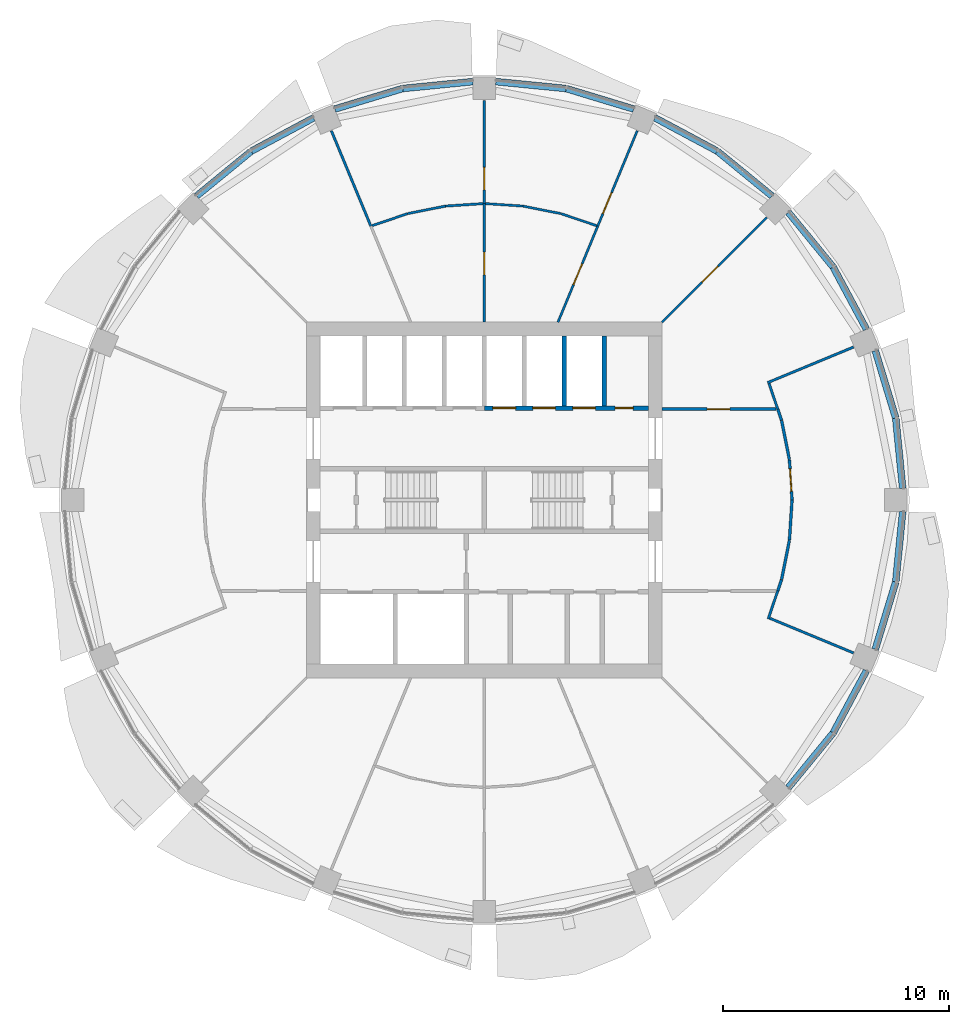
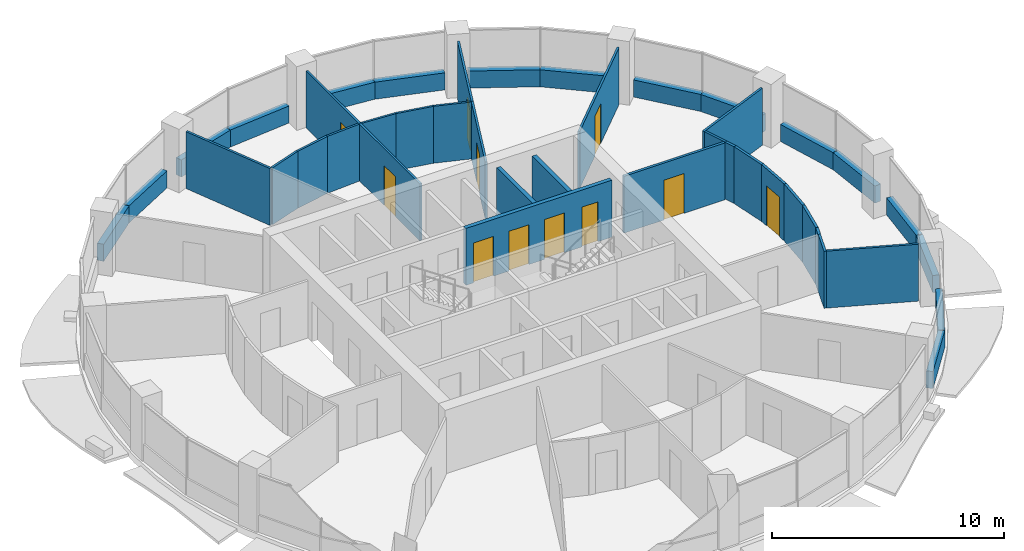
# One storey, part 10 of 15: 42 walls, 11 doors, 11 openings.
"""IFC4 building model written with IfcOpenShell, lengths in metres."""

from ifc_helpers import new_model, si_unit, direction, frame, frame_2d, origin, place, context, subcontext, project, spatial, rectangle, extrude, material, layer, layer_set, type_object, element, fill, save


model = new_model("IFC4")

# Units and contexts
model_context = context("Model", 3, precision=1e-05, world=origin(), true_north=direction((0.0, 1.0)))
body_context = subcontext(model_context, "Body", "Model", "MODEL_VIEW")
ifc_project = project(units=[si_unit("LENGTHUNIT", "METRE"), si_unit("AREAUNIT", "SQUARE_METRE"), si_unit("VOLUMEUNIT", "CUBIC_METRE"), si_unit("PLANEANGLEUNIT", "RADIAN"), si_unit("MASSUNIT", "GRAM", prefix="KILO")], contexts=[model_context])

# Site, building, storey
site_placement = place(None, origin())
site = spatial("IfcSite", under=ifc_project, at=site_placement, CompositionType="ELEMENT")
building_placement = place(site_placement, origin())
building = spatial("IfcBuilding", under=site, at=building_placement, Name="Polderwave Tower", CompositionType="ELEMENT")
storey_placement = place(building_placement, frame((0.0, 0.0, 151.10009765625)))
storey = spatial("IfcBuildingStorey", under=building, at=storey_placement, Name="L40", CompositionType="ELEMENT", Elevation=151.10009765625)

# Walls
ifc_material_1 = material(Name="Concrete C50/60 (board-marked)", Category="concrete")
ifc_layer_1 = layer(ifc_material_1, 0.300048828125)
ifc_layer_set_1 = layer_set([ifc_layer_1], Name="Concrete spandrel upstand C50/60")
wall_type_1 = type_object("IfcWallType", Name="Concrete spandrel upstand C50/60", PredefinedType="SOLIDWALL", material=ifc_layer_set_1)
wall_1_placement = place(storey_placement, frame((18.529541015625, 0.513916015625, 0.0), z_axis=(0.0, 0.0, 1.0), x_axis=(-0.098011857239, 0.995185246997, 0.0)))
element("IfcWall", 1, at=wall_1_placement, inside=storey, type_object=wall_type_1, Name="Spandrel L40 1a", PredefinedType="SOLIDWALL", context=body_context, shape_type="SweptSolid", body=[
    extrude(rectangle(XDim=3.111083984375, YDim=0.300048828125, at=frame_2d((1.5556640625, 0.0))), origin(), (0.0, 0.0, 1.0), 0.89990234375),
])
wall_2_placement = place(storey_placement, frame((18.218505859375, 3.639404296875, 0.0), z_axis=(0.0, 0.0, 1.0), x_axis=(-0.29026219948, 0.956947154002, 0.0)))
element("IfcWall", 2, at=wall_2_placement, inside=storey, type_object=wall_type_1, Name="Spandrel L40 1b", PredefinedType="SOLIDWALL", context=body_context, shape_type="SweptSolid", body=[
    extrude(rectangle(XDim=3.111328125, YDim=0.300048828125, at=frame_2d((1.5556640625, 0.0))), origin(), (0.0, 0.0, 1.0), 0.89990234375),
])
wall_3_placement = place(storey_placement, frame((16.921875, 7.565185546875, 0.0), z_axis=(0.0, 0.0, 1.0), x_axis=(-0.471467771589, 0.881883291798, 0.0)))
element("IfcWall", 3, at=wall_3_placement, inside=storey, type_object=wall_type_1, Name="Spandrel L40 2a", PredefinedType="SOLIDWALL", context=body_context, shape_type="SweptSolid", body=[
    extrude(rectangle(XDim=3.111083984375, YDim=0.300048828125, at=frame_2d((1.5556640625, 0.0))), origin(), (0.0, 0.0, 1.0), 0.89990234375),
])
for number, where, z_axis, x_axis, name in (
    (4, (15.4384765625, 10.33349609375, 0.0), (0.0, 0.0, 1.0), (-0.634074896441, 0.773271637721, 0.0), "Spandrel L40 2b"),
    (5, (12.739501953125, 13.465576171875, 0.0), (0.0, 0.0, 1.0), (-0.773271637721, 0.634074896441, 0.0), "Spandrel L40 3a"),
):
    element("IfcWall", number, at=place(storey_placement, frame(where, z_axis=z_axis, x_axis=x_axis)), inside=storey, type_object=wall_type_1, Name=name, PredefinedType="SOLIDWALL", context=body_context, shape_type="SweptSolid", body=[
        extrude(rectangle(XDim=3.111572265625, YDim=0.300048828125, at=frame_2d((1.5556640625, 0.0))), origin(), (0.0, 0.0, 1.0), 0.89990234375),
    ])
wall_4_placement = place(storey_placement, frame((10.308837890625, 15.455078125, 0.0), z_axis=(0.0, 0.0, 1.0), x_axis=(-0.881883291798, 0.471467771589, 0.0)))
element("IfcWall", 6, at=wall_4_placement, inside=storey, type_object=wall_type_1, Name="Spandrel L40 3b", PredefinedType="SOLIDWALL", context=body_context, shape_type="SweptSolid", body=[
    extrude(rectangle(XDim=3.111083984375, YDim=0.300048828125, at=frame_2d((1.5556640625, 0.0))), origin(), (0.0, 0.0, 1.0), 0.89990234375),
])
wall_5_placement = place(storey_placement, frame((6.61669921875, 17.3154296875, 0.0), z_axis=(0.0, 0.0, 1.0), x_axis=(-0.956947154002, 0.29026219948, 0.0)))
element("IfcWall", 7, at=wall_5_placement, inside=storey, type_object=wall_type_1, Name="Spandrel L40 4a", PredefinedType="SOLIDWALL", context=body_context, shape_type="SweptSolid", body=[
    extrude(rectangle(XDim=3.111328125, YDim=0.300048828125, at=frame_2d((1.5556640625, 0.0))), origin(), (0.0, 0.0, 1.0), 0.89990234375),
])
for number, where, z_axis, x_axis, name in (
    (8, (3.610107421875, 18.224609375, 0.0), (0.0, 0.0, 1.0), (-0.995185246997, 0.098011857239, 0.0), "Spandrel L40 4b"),
    (9, (-0.513916015625, 18.529541015625, 0.0), (0.0, 0.0, 1.0), (-0.995185246997, -0.098011857239, 0.0), "Spandrel L40 5a"),
):
    element("IfcWall", number, at=place(storey_placement, frame(where, z_axis=z_axis, x_axis=x_axis)), inside=storey, type_object=wall_type_1, Name=name, PredefinedType="SOLIDWALL", context=body_context, shape_type="SweptSolid", body=[
        extrude(rectangle(XDim=3.111083984375, YDim=0.300048828125, at=frame_2d((1.5556640625, 0.0))), origin(), (0.0, 0.0, 1.0), 0.89990234375),
    ])
wall_6_placement = place(storey_placement, frame((-3.639404296875, 18.218505859375, 0.0), z_axis=(0.0, 0.0, 1.0), x_axis=(-0.956947154002, -0.29026219948, 0.0)))
element("IfcWall", 10, at=wall_6_placement, inside=storey, type_object=wall_type_1, Name="Spandrel L40 5b", PredefinedType="SOLIDWALL", context=body_context, shape_type="SweptSolid", body=[
    extrude(rectangle(XDim=3.111328125, YDim=0.300048828125, at=frame_2d((1.5556640625, 0.0))), origin(), (0.0, 0.0, 1.0), 0.89990234375),
])
wall_7_placement = place(storey_placement, frame((-7.565185546875, 16.921875, 0.0), z_axis=(0.0, 0.0, 1.0), x_axis=(-0.881883291798, -0.471467771589, 0.0)))
element("IfcWall", 11, at=wall_7_placement, inside=storey, type_object=wall_type_1, Name="Spandrel L40 6a", PredefinedType="SOLIDWALL", context=body_context, shape_type="SweptSolid", body=[
    extrude(rectangle(XDim=3.111083984375, YDim=0.300048828125, at=frame_2d((1.5556640625, 0.0))), origin(), (0.0, 0.0, 1.0), 0.89990234375),
])
for number, where, z_axis, x_axis, name in (
    (12, (-10.33349609375, 15.4384765625, 0.0), (0.0, 0.0, 1.0), (-0.773271637721, -0.634074896441, 0.0), "Spandrel L40 6b"),
    (13, (13.465576171875, -12.739501953125, 0.0), (0.0, 0.0, 1.0), (0.634074896441, 0.773271637721, 0.0), "Spandrel L40 15a"),
):
    element("IfcWall", number, at=place(storey_placement, frame(where, z_axis=z_axis, x_axis=x_axis)), inside=storey, type_object=wall_type_1, Name=name, PredefinedType="SOLIDWALL", context=body_context, shape_type="SweptSolid", body=[
        extrude(rectangle(XDim=3.111572265625, YDim=0.300048828125, at=frame_2d((1.5556640625, 0.0))), origin(), (0.0, 0.0, 1.0), 0.89990234375),
    ])
wall_8_placement = place(storey_placement, frame((15.455078125, -10.308837890625, 0.0), z_axis=(0.0, 0.0, 1.0), x_axis=(0.471467771589, 0.881883291798, 0.0)))
element("IfcWall", 14, at=wall_8_placement, inside=storey, type_object=wall_type_1, Name="Spandrel L40 15b", PredefinedType="SOLIDWALL", context=body_context, shape_type="SweptSolid", body=[
    extrude(rectangle(XDim=3.111083984375, YDim=0.300048828125, at=frame_2d((1.5556640625, 0.0))), origin(), (0.0, 0.0, 1.0), 0.89990234375),
])
wall_9_placement = place(storey_placement, frame((17.3154296875, -6.61669921875, 0.0), z_axis=(0.0, 0.0, 1.0), x_axis=(0.29026219948, 0.956947154002, 0.0)))
element("IfcWall", 15, at=wall_9_placement, inside=storey, type_object=wall_type_1, Name="Spandrel L40 16a", PredefinedType="SOLIDWALL", context=body_context, shape_type="SweptSolid", body=[
    extrude(rectangle(XDim=3.111328125, YDim=0.300048828125, at=frame_2d((1.5556640625, 0.0))), origin(), (0.0, 0.0, 1.0), 0.89990234375),
])
wall_10_placement = place(storey_placement, frame((18.224609375, -3.610107421875, 0.0), z_axis=(0.0, 0.0, 1.0), x_axis=(0.098011857239, 0.995185246997, 0.0)))
element("IfcWall", 16, at=wall_10_placement, inside=storey, type_object=wall_type_1, Name="Spandrel L40 16b", PredefinedType="SOLIDWALL", context=body_context, shape_type="SweptSolid", body=[
    extrude(rectangle(XDim=3.111083984375, YDim=0.300048828125, at=frame_2d((1.5556640625, 0.0))), origin(), (0.0, 0.0, 1.0), 0.89990234375),
])

# Wall, openings, doors
ifc_material_2 = material(Name="Concrete C50/60", Category="concrete")
ifc_layer_2 = layer(ifc_material_2, 0.199951171875)
ifc_layer_set_2 = layer_set([ifc_layer_2], Name="Core web wall 200")
wall_type_2 = type_object("IfcWallType", Name="Core web wall 200", PredefinedType="SHEAR", material=ifc_layer_set_2)
wall_11_placement = place(storey_placement, frame((0.0, 4.073974609375, 0.0), z_axis=(0.0, 0.0, 1.0), x_axis=(1.0, 0.0, 0.0)))
wall_11 = element("IfcWall", 17, at=wall_11_placement, inside=storey, type_object=wall_type_2, Name="L40 north front wall 2", PredefinedType="SHEAR", context=body_context, shape_type="SweptSolid", body=[
    extrude(rectangle(XDim=7.27392578125, YDim=0.199951171875, at=frame_2d((3.636962890625, 0.0))), origin(), (0.0, 0.0, 1.0), 3.0),
])
opening_1_placement = place(wall_11_placement, frame((0.38427734375, 0.0, 0.0)))
opening_1 = element("IfcOpeningElement", 18, at=opening_1_placement, cuts=wall_11, Name="Opening L40-D07", PredefinedType="OPENING", context=body_context, shape_type="SweptSolid", body=[
    extrude(rectangle(XDim=1.0, YDim=2.10009765625, at=frame_2d((0.5, 1.050048828125))), frame((0.0, 0.10986328125, 0.0), z_axis=(0.0, -1.0, 0.0), x_axis=(1.0, 0.0, 0.0)), (0.0, 0.0, 1.0), 0.219970703125),
])
opening_2_placement = place(wall_11_placement, frame((2.15283203125, 0.0, 0.0)))
opening_2 = element("IfcOpeningElement", 19, at=opening_2_placement, cuts=wall_11, Name="Opening L40-D08", PredefinedType="OPENING", context=body_context, shape_type="SweptSolid", body=[
    extrude(rectangle(XDim=1.0, YDim=2.10009765625, at=frame_2d((0.5, 1.050048828125))), frame((0.0, 0.10986328125, 0.0), z_axis=(0.0, -1.0, 0.0), x_axis=(1.0, 0.0, 0.0)), (0.0, 0.0, 1.0), 0.219970703125),
])
opening_3_placement = place(wall_11_placement, frame((3.921142578125, 0.0, 0.0)))
opening_3 = element("IfcOpeningElement", 20, at=opening_3_placement, cuts=wall_11, Name="Opening L40-D09", PredefinedType="OPENING", context=body_context, shape_type="SweptSolid", body=[
    extrude(rectangle(XDim=1.0, YDim=2.10009765625, at=frame_2d((0.5, 1.050048828125))), frame((0.0, 0.10986328125, 0.0), z_axis=(0.0, -1.0, 0.0), x_axis=(1.0, 0.0, 0.0)), (0.0, 0.0, 1.0), 0.219970703125),
])
opening_4_placement = place(wall_11_placement, frame((5.789794921875, 0.0, 0.0)))
opening_4 = element("IfcOpeningElement", 21, at=opening_4_placement, cuts=wall_11, Name="Opening L40-D19", PredefinedType="OPENING", context=body_context, shape_type="SweptSolid", body=[
    extrude(rectangle(XDim=0.800048828125, YDim=2.10009765625, at=frame_2d((0.39990234375, 1.050048828125))), frame((0.0, 0.10986328125, 0.0), z_axis=(0.0, -1.0, 0.0), x_axis=(1.0, 0.0, 0.0)), (0.0, 0.0, 1.0), 0.219970703125),
])
ifc_material_3 = material(Name="Stainless steel", Category="steel")
door_type_1 = type_object("IfcDoorType", Name="Lift landing door 1000", OperationType="DOUBLE_DOOR_SLIDING", PredefinedType="DOOR", material=ifc_material_3)
door_1_placement = place(opening_1_placement, frame((1.0, 0.0, 0.0), z_axis=(0.0, 0.0, 1.0), x_axis=(-1.0, 0.0, 0.0)))
door_1 = element("IfcDoor", 22, at=door_1_placement, inside=storey, type_object=door_type_1, Name="Lift HL5 landing door", OperationType="DOUBLE_DOOR_SLIDING", OverallHeight=2.10009765625, OverallWidth=1.0, PredefinedType="DOOR", context=body_context, shape_type="SweptSolid", body=[
    extrude(rectangle(XDim=1.0, YDim=2.10009765625, at=frame_2d((0.5, 1.050048828125))), frame((0.0, 0.02490234375, 0.0), z_axis=(0.0, -1.0, 0.0), x_axis=(1.0, 0.0, 0.0)), (0.0, 0.0, 1.0), 0.050048828125),
])
fill(opening_1, door_1)
door_2_placement = place(opening_2_placement, frame((1.0, 0.0, 0.0), z_axis=(0.0, 0.0, 1.0), x_axis=(-1.0, 0.0, 0.0)))
door_2 = element("IfcDoor", 23, at=door_2_placement, inside=storey, type_object=door_type_1, Name="Lift HL6 landing door", OperationType="DOUBLE_DOOR_SLIDING", OverallHeight=2.10009765625, OverallWidth=1.0, PredefinedType="DOOR", context=body_context, shape_type="SweptSolid", body=[
    extrude(rectangle(XDim=1.0, YDim=2.10009765625, at=frame_2d((0.5, 1.050048828125))), frame((0.0, 0.02490234375, 0.0), z_axis=(0.0, -1.0, 0.0), x_axis=(1.0, 0.0, 0.0)), (0.0, 0.0, 1.0), 0.050048828125),
])
fill(opening_2, door_2)
door_3_placement = place(opening_3_placement, frame((1.0, 0.0, 0.0), z_axis=(0.0, 0.0, 1.0), x_axis=(-1.0, 0.0, 0.0)))
door_3 = element("IfcDoor", 24, at=door_3_placement, inside=storey, type_object=door_type_1, Name="Lift HL7 landing door", OperationType="DOUBLE_DOOR_SLIDING", OverallHeight=2.10009765625, OverallWidth=1.0, PredefinedType="DOOR", context=body_context, shape_type="SweptSolid", body=[
    extrude(rectangle(XDim=1.0, YDim=2.10009765625, at=frame_2d((0.5, 1.050048828125))), frame((0.0, 0.02490234375, 0.0), z_axis=(0.0, -1.0, 0.0), x_axis=(1.0, 0.0, 0.0)), (0.0, 0.0, 1.0), 0.050048828125),
])
fill(opening_3, door_3)
ifc_material_4 = material(Name="Steel fire door", Category="steel")
door_type_2 = type_object("IfcDoorType", Name="Riser door 800", OperationType="NOTDEFINED", PredefinedType="DOOR", material=ifc_material_4)
door_4_placement = place(opening_4_placement, frame((0.800048828125, 0.0, 0.0), z_axis=(0.0, 0.0, 1.0), x_axis=(-1.0, 0.0, 0.0)))
door_4 = element("IfcDoor", 25, at=door_4_placement, inside=storey, type_object=door_type_2, Name="Riser door", OperationType="SINGLE_SWING_LEFT", OverallHeight=2.10009765625, OverallWidth=0.800048828125, PredefinedType="DOOR", context=body_context, shape_type="SweptSolid", body=[
    extrude(rectangle(XDim=0.800048828125, YDim=2.10009765625, at=frame_2d((0.39990234375, 1.050048828125))), frame((0.0, 0.02490234375, 0.0), z_axis=(0.0, -1.0, 0.0), x_axis=(1.0, 0.0, 0.0)), (0.0, 0.0, 1.0), 0.050048828125),
])
fill(opening_4, door_4)

# Walls
ifc_material_5 = material(Name="Fire-resisting board on steel studs", Category="steel")
ifc_layer_3 = layer(ifc_material_5, 0.125)
ifc_layer_set_3 = layer_set([ifc_layer_3], Name="Corridor wall 125 mm EI 60")
wall_type_3 = type_object("IfcWallType", Name="Corridor wall 125 mm EI 60", PredefinedType="PARTITIONING", material=ifc_layer_set_3)
for number, where, z_axis, x_axis, name in (
    (26, (12.996826171875, 4.0244140625, 0.0), (0.0, 0.0, 1.0), (0.321709356611, -0.946838470843, 0.0), "IN-L40-W001"),
    (27, (13.164306640625, -3.531494140625, 0.0), (0.0, 0.0, 1.0), (-0.321709356611, -0.946838470843, 0.0), "IN-L40-W002"),
):
    element("IfcWall", number, at=place(storey_placement, frame(where, z_axis=z_axis, x_axis=x_axis)), inside=storey, type_object=wall_type_3, Name=name, PredefinedType="PARTITIONING", context=body_context, shape_type="SweptSolid", body=[
        extrude(rectangle(XDim=0.5205078125, YDim=0.125, at=frame_2d((0.26025390625, 0.0))), origin(), (0.0, 0.0, 1.0), 3.0),
    ])
for number, where, z_axis, x_axis, name in (
    (28, (13.16650390625, 3.523681640625, 0.0), (0.0, 0.0, 1.0), (0.195084198994, -0.980786498328, 0.0), "IN-L40-W003"),
    (29, (13.5126953125, -1.783203125, 0.0), (0.0, 0.0, 1.0), (-0.195084198994, -0.980786498328, 0.0), "IN-L40-W004"),
):
    element("IfcWall", number, at=place(storey_placement, frame(where, z_axis=z_axis, x_axis=x_axis)), inside=storey, type_object=wall_type_3, Name=name, PredefinedType="PARTITIONING", context=body_context, shape_type="SweptSolid", body=[
        extrude(rectangle(XDim=1.774658203125, YDim=0.125, at=frame_2d((0.88720703125, 0.0))), origin(), (0.0, 0.0, 1.0), 3.0),
    ])

# Wall, opening, door
wall_12_placement = place(storey_placement, frame((13.513671875, 1.77490234375, 0.0), z_axis=(0.0, 0.0, 1.0), x_axis=(0.065350149908, -0.997862394274, 0.0)))
wall_12 = element("IfcWall", 30, at=wall_12_placement, inside=storey, type_object=wall_type_3, Name="IN-L40-W005", PredefinedType="PARTITIONING", context=body_context, shape_type="SweptSolid", body=[
    extrude(rectangle(XDim=1.774658203125, YDim=0.125, at=frame_2d((0.88720703125, 0.0))), origin(), (0.0, 0.0, 1.0), 3.0),
])
opening_5_placement = place(wall_12_placement, frame((0.39990234375, 0.0, 0.0)))
opening_5 = element("IfcOpeningElement", 31, at=opening_5_placement, cuts=wall_12, Name="Opening L40-D50", PredefinedType="OPENING", context=body_context, shape_type="SweptSolid", body=[
    extrude(rectangle(XDim=1.0, YDim=2.10009765625, at=frame_2d((0.5, 1.050048828125))), frame((0.0, 0.072509765625, 0.0), z_axis=(0.0, -1.0, 0.0), x_axis=(1.0, 0.0, 0.0)), (0.0, 0.0, 1.0), 0.14501953125),
])
ifc_material_6 = material(Name="Timber fire door leaf", Category="wood")
door_type_3 = type_object("IfcDoorType", Name="Fire door FD30S 1000 x 2100", OperationType="NOTDEFINED", PredefinedType="DOOR", material=ifc_material_6)
door_5_placement = place(opening_5_placement, origin())
door_5 = element("IfcDoor", 32, at=door_5_placement, inside=storey, type_object=door_type_3, Name="Door L40-D50", OperationType="SINGLE_SWING_RIGHT", OverallHeight=2.10009765625, OverallWidth=1.0, PredefinedType="DOOR", context=body_context, shape_type="SweptSolid", body=[
    extrude(rectangle(XDim=1.0, YDim=2.10009765625, at=frame_2d((0.5, 1.050048828125))), frame((0.0, 0.02490234375, 0.0), z_axis=(0.0, -1.0, 0.0), x_axis=(1.0, 0.0, 0.0)), (0.0, 0.0, 1.0), 0.050048828125),
])
fill(opening_5, door_5)

# Wall
wall_13_placement = place(storey_placement, frame((13.629638671875, -0.004150390625, 0.0), z_axis=(0.0, 0.0, 1.0), x_axis=(-0.065350149908, -0.997862394274, 0.0)))
element("IfcWall", 33, at=wall_13_placement, inside=storey, type_object=wall_type_3, Name="IN-L40-W006", PredefinedType="PARTITIONING", context=body_context, shape_type="SweptSolid", body=[
    extrude(rectangle(XDim=1.774658203125, YDim=0.125, at=frame_2d((0.88720703125, 0.0))), origin(), (0.0, 0.0, 1.0), 3.0),
])

# Wall, opening, door
wall_14_placement = place(storey_placement, frame((7.8740234375, 4.0244140625, 0.0), z_axis=(0.0, 0.0, 1.0), x_axis=(1.0, 0.0, 0.0)))
wall_14 = element("IfcWall", 34, at=wall_14_placement, inside=storey, type_object=wall_type_3, Name="IN-L40-W007", PredefinedType="PARTITIONING", context=body_context, shape_type="SweptSolid", body=[
    extrude(rectangle(XDim=5.03564453125, YDim=0.125, at=frame_2d((2.517822265625, 0.0))), origin(), (0.0, 0.0, 1.0), 3.0),
])
opening_6_placement = place(wall_14_placement, frame((2.0, 0.0, 0.0)))
opening_6 = element("IfcOpeningElement", 35, at=opening_6_placement, cuts=wall_14, Name="Opening L40-D51", PredefinedType="OPENING", context=body_context, shape_type="SweptSolid", body=[
    extrude(rectangle(XDim=1.0, YDim=2.10009765625, at=frame_2d((0.5, 1.050048828125))), frame((0.0, 0.072509765625, 0.0), z_axis=(0.0, -1.0, 0.0), x_axis=(1.0, 0.0, 0.0)), (0.0, 0.0, 1.0), 0.14501953125),
])
door_6_placement = place(opening_6_placement, origin())
door_6 = element("IfcDoor", 36, at=door_6_placement, inside=storey, type_object=door_type_3, Name="Door L40-D51", OperationType="SINGLE_SWING_LEFT", OverallHeight=2.10009765625, OverallWidth=1.0, PredefinedType="DOOR", context=body_context, shape_type="SweptSolid", body=[
    extrude(rectangle(XDim=1.0, YDim=2.10009765625, at=frame_2d((0.5, 1.050048828125))), frame((0.0, 0.02490234375, 0.0), z_axis=(0.0, -1.0, 0.0), x_axis=(1.0, 0.0, 0.0)), (0.0, 0.0, 1.0), 0.050048828125),
])
fill(opening_6, door_6)

ifc_material_7 = material(Name="Plasterboard on steel studs", Category="steel")
ifc_layer_4 = layer(ifc_material_7, 0.10009765625)
ifc_layer_set_4 = layer_set([ifc_layer_4], Name="Partition 100 mm plasterboard on steel studs")
wall_type_4 = type_object("IfcWallType", Name="Partition 100 mm plasterboard on steel studs", PredefinedType="PARTITIONING", material=ifc_layer_set_4)
wall_15_placement = place(storey_placement, frame((7.8740234375, 7.8740234375, 0.0), z_axis=(0.0, 0.0, 1.0), x_axis=(0.707106781187, 0.707106781187, 0.0)))
wall_15 = element("IfcWall", 37, at=wall_15_placement, inside=storey, type_object=wall_type_4, Name="IN-L40-W021", PredefinedType="PARTITIONING", context=body_context, shape_type="SweptSolid", body=[
    extrude(rectangle(XDim=6.564453125, YDim=0.10009765625, at=frame_2d((3.2822265625, 0.0))), origin(), (0.0, 0.0, 1.0), 3.0),
])
opening_7_placement = place(wall_15_placement, frame((2.5, 0.0, 0.0)))
opening_7 = element("IfcOpeningElement", 38, at=opening_7_placement, cuts=wall_15, Name="Opening L40-D56", PredefinedType="OPENING", context=body_context, shape_type="SweptSolid", body=[
    extrude(rectangle(XDim=1.0, YDim=2.10009765625, at=frame_2d((0.5, 1.050048828125))), frame((0.0, 0.06005859375, 0.0), z_axis=(0.0, -1.0, 0.0), x_axis=(1.0, 0.0, 0.0)), (0.0, 0.0, 1.0), 0.1201171875),
])
ifc_material_8 = material(Name="Timber veneer door leaf", Category="wood")
door_type_4 = type_object("IfcDoorType", Name="Single door 1000 x 2100", OperationType="NOTDEFINED", PredefinedType="DOOR", material=ifc_material_8)
door_7_placement = place(opening_7_placement, origin())
door_7 = element("IfcDoor", 39, at=door_7_placement, inside=storey, type_object=door_type_4, Name="Door L40-D56", OperationType="SINGLE_SWING_LEFT", OverallHeight=2.10009765625, OverallWidth=1.0, PredefinedType="DOOR", context=body_context, shape_type="SweptSolid", body=[
    extrude(rectangle(XDim=1.0, YDim=2.10009765625, at=frame_2d((0.5, 1.050048828125))), frame((0.0, 0.02490234375, 0.0), z_axis=(0.0, -1.0, 0.0), x_axis=(1.0, 0.0, 0.0)), (0.0, 0.0, 1.0), 0.050048828125),
])
fill(opening_7, door_7)

wall_16_placement = place(storey_placement, frame((3.261474609375, 7.8740234375, 0.0), z_axis=(0.0, 0.0, 1.0), x_axis=(0.382691869474, 0.923876037701, 0.0)))
wall_16 = element("IfcWall", 40, at=wall_16_placement, inside=storey, type_object=wall_type_4, Name="IN-L40-W022", PredefinedType="PARTITIONING", context=body_context, shape_type="SweptSolid", body=[
    extrude(rectangle(XDim=4.607421875, YDim=0.10009765625, at=frame_2d((2.3037109375, 0.0))), origin(), (0.0, 0.0, 1.0), 3.0),
])
opening_8_placement = place(wall_16_placement, frame((1.800048828125, 0.0, 0.0)))
opening_8 = element("IfcOpeningElement", 41, at=opening_8_placement, cuts=wall_16, Name="Opening L40-D57", PredefinedType="OPENING", context=body_context, shape_type="SweptSolid", body=[
    extrude(rectangle(XDim=1.0, YDim=2.10009765625, at=frame_2d((0.5, 1.050048828125))), frame((0.0, 0.06005859375, 0.0), z_axis=(0.0, -1.0, 0.0), x_axis=(1.0, 0.0, 0.0)), (0.0, 0.0, 1.0), 0.1201171875),
])
door_8_placement = place(opening_8_placement, origin())
door_8 = element("IfcDoor", 42, at=door_8_placement, inside=storey, type_object=door_type_4, Name="Door L40-D57", OperationType="SINGLE_SWING_LEFT", OverallHeight=2.10009765625, OverallWidth=1.0, PredefinedType="DOOR", context=body_context, shape_type="SweptSolid", body=[
    extrude(rectangle(XDim=1.0, YDim=2.10009765625, at=frame_2d((0.5, 1.050048828125))), frame((0.0, 0.02490234375, 0.0), z_axis=(0.0, -1.0, 0.0), x_axis=(1.0, 0.0, 0.0)), (0.0, 0.0, 1.0), 0.050048828125),
])
fill(opening_8, door_8)

wall_17_placement = place(storey_placement, frame((5.024658203125, 12.130615234375, 0.0), z_axis=(0.0, 0.0, 1.0), x_axis=(0.382664766489, 0.923887263949, 0.0)))
wall_17 = element("IfcWall", 43, at=wall_17_placement, inside=storey, type_object=wall_type_4, Name="IN-L40-W023", PredefinedType="PARTITIONING", context=body_context, shape_type="SweptSolid", body=[
    extrude(rectangle(XDim=4.570068359375, YDim=0.10009765625, at=frame_2d((2.28515625, 0.0))), origin(), (0.0, 0.0, 1.0), 3.0),
])
opening_9_placement = place(wall_17_placement, frame((0.60009765625, 0.0, 0.0)))
opening_9 = element("IfcOpeningElement", 44, at=opening_9_placement, cuts=wall_17, Name="Opening L40-D58", PredefinedType="OPENING", context=body_context, shape_type="SweptSolid", body=[
    extrude(rectangle(XDim=1.0, YDim=2.10009765625, at=frame_2d((0.5, 1.050048828125))), frame((0.0, 0.06005859375, 0.0), z_axis=(0.0, -1.0, 0.0), x_axis=(1.0, 0.0, 0.0)), (0.0, 0.0, 1.0), 0.1201171875),
])
door_9_placement = place(opening_9_placement, origin())
door_9 = element("IfcDoor", 45, at=door_9_placement, inside=storey, type_object=door_type_4, Name="Door L40-D58", OperationType="SINGLE_SWING_LEFT", OverallHeight=2.10009765625, OverallWidth=1.0, PredefinedType="DOOR", context=body_context, shape_type="SweptSolid", body=[
    extrude(rectangle(XDim=1.0, YDim=2.10009765625, at=frame_2d((0.5, 1.050048828125))), frame((0.0, 0.02490234375, 0.0), z_axis=(0.0, -1.0, 0.0), x_axis=(1.0, 0.0, 0.0)), (0.0, 0.0, 1.0), 0.050048828125),
])
fill(opening_9, door_9)

# Walls
wall_18_placement = place(storey_placement, frame((0.055908203125, 13.126220703125, 0.0), z_axis=(0.0, 0.0, 1.0), x_axis=(0.997860729897, -0.065375559108, 0.0)))
element("IfcWall", 46, at=wall_18_placement, inside=storey, type_object=wall_type_4, Name="IN-L40-W024", PredefinedType="PARTITIONING", context=body_context, shape_type="SweptSolid", body=[
    extrude(rectangle(XDim=1.658203125, YDim=0.10009765625, at=frame_2d((0.8291015625, 0.0))), origin(), (0.0, 0.0, 1.0), 3.0),
])
wall_19_placement = place(storey_placement, frame((1.717041015625, 13.01708984375, 0.0), z_axis=(0.0, 0.0, 1.0), x_axis=(0.980761373858, -0.195210469873, 0.0)))
element("IfcWall", 47, at=wall_19_placement, inside=storey, type_object=wall_type_4, Name="IN-L40-W025", PredefinedType="PARTITIONING", context=body_context, shape_type="SweptSolid", body=[
    extrude(rectangle(XDim=1.7109375, YDim=0.10009765625, at=frame_2d((0.85546875, 0.0))), origin(), (0.0, 0.0, 1.0), 3.0),
])
wall_20_placement = place(storey_placement, frame((3.4013671875, 12.681396484375, 0.0), z_axis=(0.0, 0.0, 1.0), x_axis=(0.946964323191, -0.321338716314, 0.0)))
element("IfcWall", 48, at=wall_20_placement, inside=storey, type_object=wall_type_4, Name="IN-L40-W026", PredefinedType="PARTITIONING", context=body_context, shape_type="SweptSolid", body=[
    extrude(rectangle(XDim=1.660888671875, YDim=0.10009765625, at=frame_2d((0.83056640625, 0.0))), origin(), (0.0, 0.0, 1.0), 3.0),
])

# Wall, opening, door
wall_21_placement = place(storey_placement, frame((0.0, 13.1298828125, 0.0), z_axis=(0.0, 0.0, 1.0), x_axis=(0.0, 1.0, 0.0)))
wall_21 = element("IfcWall", 49, at=wall_21_placement, inside=storey, type_object=wall_type_4, Name="IN-L40-W028", PredefinedType="PARTITIONING", context=body_context, shape_type="SweptSolid", body=[
    extrude(rectangle(XDim=4.570068359375, YDim=0.10009765625, at=frame_2d((2.28515625, 0.0))), origin(), (0.0, 0.0, 1.0), 3.0),
])
opening_10_placement = place(wall_21_placement, frame((0.60009765625, 0.0, 0.0)))
opening_10 = element("IfcOpeningElement", 50, at=opening_10_placement, cuts=wall_21, Name="Opening L40-D60", PredefinedType="OPENING", context=body_context, shape_type="SweptSolid", body=[
    extrude(rectangle(XDim=1.0, YDim=2.10009765625, at=frame_2d((0.5, 1.050048828125))), frame((0.0, 0.06005859375, 0.0), z_axis=(0.0, -1.0, 0.0), x_axis=(1.0, 0.0, 0.0)), (0.0, 0.0, 1.0), 0.1201171875),
])
door_10_placement = place(opening_10_placement, origin())
door_10 = element("IfcDoor", 51, at=door_10_placement, inside=storey, type_object=door_type_4, Name="Door L40-D60", OperationType="SINGLE_SWING_LEFT", OverallHeight=2.10009765625, OverallWidth=1.0, PredefinedType="DOOR", context=body_context, shape_type="SweptSolid", body=[
    extrude(rectangle(XDim=1.0, YDim=2.10009765625, at=frame_2d((0.5, 1.050048828125))), frame((0.0, 0.02490234375, 0.0), z_axis=(0.0, -1.0, 0.0), x_axis=(1.0, 0.0, 0.0)), (0.0, 0.0, 1.0), 0.050048828125),
])
fill(opening_10, door_10)

ifc_material_9 = material(Name="Moisture-resistant board on steel studs, tiled", Category="steel")
ifc_layer_5 = layer(ifc_material_9, 0.10498046875)
ifc_layer_set_5 = layer_set([ifc_layer_5], Name="Partition 105 mm wet room board and tile")
wall_type_5 = type_object("IfcWallType", Name="Partition 105 mm wet room board and tile", PredefinedType="PARTITIONING", material=ifc_layer_set_5)
wall_22_placement = place(storey_placement, frame((0.0, 7.8740234375, 0.0), z_axis=(0.0, 0.0, 1.0), x_axis=(0.0, 1.0, 0.0)))
wall_22 = element("IfcWall", 52, at=wall_22_placement, inside=storey, type_object=wall_type_5, Name="IN-L40-W027", PredefinedType="PARTITIONING", context=body_context, shape_type="SweptSolid", body=[
    extrude(rectangle(XDim=5.255859375, YDim=0.10498046875, at=frame_2d((2.6279296875, 0.0))), origin(), (0.0, 0.0, 1.0), 3.0),
])
opening_11_placement = place(wall_22_placement, frame((2.10009765625, 0.0, 0.0)))
opening_11 = element("IfcOpeningElement", 53, at=opening_11_placement, cuts=wall_22, Name="Opening L40-D59", PredefinedType="OPENING", context=body_context, shape_type="SweptSolid", body=[
    extrude(rectangle(XDim=1.0, YDim=2.10009765625, at=frame_2d((0.5, 1.050048828125))), frame((0.0, 0.0625, 0.0), z_axis=(0.0, -1.0, 0.0), x_axis=(1.0, 0.0, 0.0)), (0.0, 0.0, 1.0), 0.125),
])
door_11_placement = place(opening_11_placement, origin())
door_11 = element("IfcDoor", 54, at=door_11_placement, inside=storey, type_object=door_type_4, Name="Door L40-D59", OperationType="SINGLE_SWING_LEFT", OverallHeight=2.10009765625, OverallWidth=1.0, PredefinedType="DOOR", context=body_context, shape_type="SweptSolid", body=[
    extrude(rectangle(XDim=1.0, YDim=2.10009765625, at=frame_2d((0.5, 1.050048828125))), frame((0.0, 0.02490234375, 0.0), z_axis=(0.0, -1.0, 0.0), x_axis=(1.0, 0.0, 0.0)), (0.0, 0.0, 1.0), 0.050048828125),
])
fill(opening_11, door_11)

# Walls
wall_23_placement = place(storey_placement, frame((-4.96923828125, 12.1494140625, 0.0), z_axis=(0.0, 0.0, 1.0), x_axis=(0.946958666381, 0.321355386084, 0.0)))
element("IfcWall", 55, at=wall_23_placement, inside=storey, type_object=wall_type_5, Name="IN-L40-W029", PredefinedType="PARTITIONING", context=body_context, shape_type="SweptSolid", body=[
    extrude(rectangle(XDim=1.655517578125, YDim=0.10498046875, at=frame_2d((0.82763671875, 0.0))), origin(), (0.0, 0.0, 1.0), 3.0),
])
wall_24_placement = place(storey_placement, frame((-3.39501953125, 12.683349609375, 0.0), z_axis=(0.0, 0.0, 1.0), x_axis=(0.980783253741, 0.195100510458, 0.0)))
element("IfcWall", 56, at=wall_24_placement, inside=storey, type_object=wall_type_5, Name="IN-L40-W030", PredefinedType="PARTITIONING", context=body_context, shape_type="SweptSolid", body=[
    extrude(rectangle(XDim=1.710693359375, YDim=0.10498046875, at=frame_2d((0.85546875, 0.0))), origin(), (0.0, 0.0, 1.0), 3.0),
])
wall_25_placement = place(storey_placement, frame((-1.71044921875, 13.017822265625, 0.0), z_axis=(0.0, 0.0, 1.0), x_axis=(0.997860729897, 0.065375559108, 0.0)))
element("IfcWall", 57, at=wall_25_placement, inside=storey, type_object=wall_type_5, Name="IN-L40-W031", PredefinedType="PARTITIONING", context=body_context, shape_type="SweptSolid", body=[
    extrude(rectangle(XDim=1.658203125, YDim=0.10498046875, at=frame_2d((0.8291015625, 0.0))), origin(), (0.0, 0.0, 1.0), 3.0),
])
ifc_material_10 = material(Name="Acoustic double plasterboard on steel studs", Category="steel")
ifc_layer_6 = layer(ifc_material_10, 0.110107421875)
ifc_layer_set_6 = layer_set([ifc_layer_6], Name="Partition 110 mm acoustic double board")
wall_type_6 = type_object("IfcWallType", Name="Partition 110 mm acoustic double board", PredefinedType="PARTITIONING", material=ifc_layer_set_6)
wall_26_placement = place(storey_placement, frame((12.541748046875, 5.195068359375, 0.0), z_axis=(0.0, 0.0, 1.0), x_axis=(0.923897814256, 0.382639293348, 0.0)))
element("IfcWall", 58, at=wall_26_placement, inside=storey, type_object=wall_type_6, Name="IN-L40-W017", PredefinedType="PARTITIONING", context=body_context, shape_type="SweptSolid", body=[
    extrude(rectangle(XDim=4.125, YDim=0.110107421875, at=frame_2d((2.0625, 0.0))), origin(), (0.0, 0.0, 1.0), 3.0),
])
wall_27_placement = place(storey_placement, frame((12.996826171875, 4.0244140625, 0.0), z_axis=(0.0, 0.0, 1.0), x_axis=(-0.321351748038, 0.946959900964, 0.0)))
element("IfcWall", 59, at=wall_27_placement, inside=storey, type_object=wall_type_6, Name="IN-L40-W018", PredefinedType="PARTITIONING", context=body_context, shape_type="SweptSolid", body=[
    extrude(rectangle(XDim=1.19970703125, YDim=0.110107421875, at=frame_2d((0.599853515625, 0.0))), origin(), (0.0, 0.0, 1.0), 3.0),
])
wall_28_placement = place(storey_placement, frame((12.57470703125, -5.26806640625, 0.0), z_axis=(0.0, 0.0, 1.0), x_axis=(0.321409462525, 0.946940313536, 0.0)))
element("IfcWall", 60, at=wall_28_placement, inside=storey, type_object=wall_type_6, Name="IN-L40-W019", PredefinedType="PARTITIONING", context=body_context, shape_type="SweptSolid", body=[
    extrude(rectangle(XDim=1.313232421875, YDim=0.110107421875, at=frame_2d((0.65673828125, 0.0))), origin(), (0.0, 0.0, 1.0), 3.0),
])
wall_29_placement = place(storey_placement, frame((16.352783203125, -6.7734375, 0.0), z_axis=(0.0, 0.0, 1.0), x_axis=(-0.923895925894, 0.382643852839, 0.0)))
element("IfcWall", 61, at=wall_29_placement, inside=storey, type_object=wall_type_6, Name="IN-L40-W020", PredefinedType="PARTITIONING", context=body_context, shape_type="SweptSolid", body=[
    extrude(rectangle(XDim=4.01123046875, YDim=0.110107421875, at=frame_2d((2.005615234375, 0.0))), origin(), (0.0, 0.0, 1.0), 3.0),
])
wall_30_placement = place(storey_placement, frame((-5.024658203125, 12.130615234375, 0.0), z_axis=(0.0, 0.0, 1.0), x_axis=(-0.382664766489, 0.923887263949, 0.0)))
element("IfcWall", 62, at=wall_30_placement, inside=storey, type_object=wall_type_6, Name="IN-L40-W033", PredefinedType="PARTITIONING", context=body_context, shape_type="SweptSolid", body=[
    extrude(rectangle(XDim=4.570068359375, YDim=0.110107421875, at=frame_2d((2.28515625, 0.0))), origin(), (0.0, 0.0, 1.0), 3.0),
])
ifc_material_11 = material(Name="Gypsum shaft wall system")
ifc_layer_7 = layer(ifc_material_11, 0.199951171875)
ifc_layer_set_7 = layer_set([ifc_layer_7], Name="Shaft wall 200")
wall_type_7 = type_object("IfcWallType", Name="Shaft wall 200", PredefinedType="PARTITIONING", material=ifc_layer_set_7)
for number, where, z_axis, x_axis, name in (
    (63, (3.537109375, 4.174072265625, 0.0), (0.0, 0.0, 1.0), (0.0, 1.0, 0.0), "L40 lift shaft wall N6"),
    (64, (5.305419921875, 4.174072265625, 0.0), (0.0, 0.0, 1.0), (0.0, 1.0, 0.0), "L40 lift shaft wall N7"),
):
    element("IfcWall", number, at=place(storey_placement, frame(where, z_axis=z_axis, x_axis=x_axis)), inside=storey, type_object=wall_type_7, Name=name, PredefinedType="PARTITIONING", context=body_context, shape_type="SweptSolid", body=[
        extrude(rectangle(XDim=3.099853515625, YDim=0.199951171875, at=frame_2d((1.5498046875, 0.0))), origin(), (0.0, 0.0, 1.0), 3.0),
    ])

save(model, "model.ifc")
